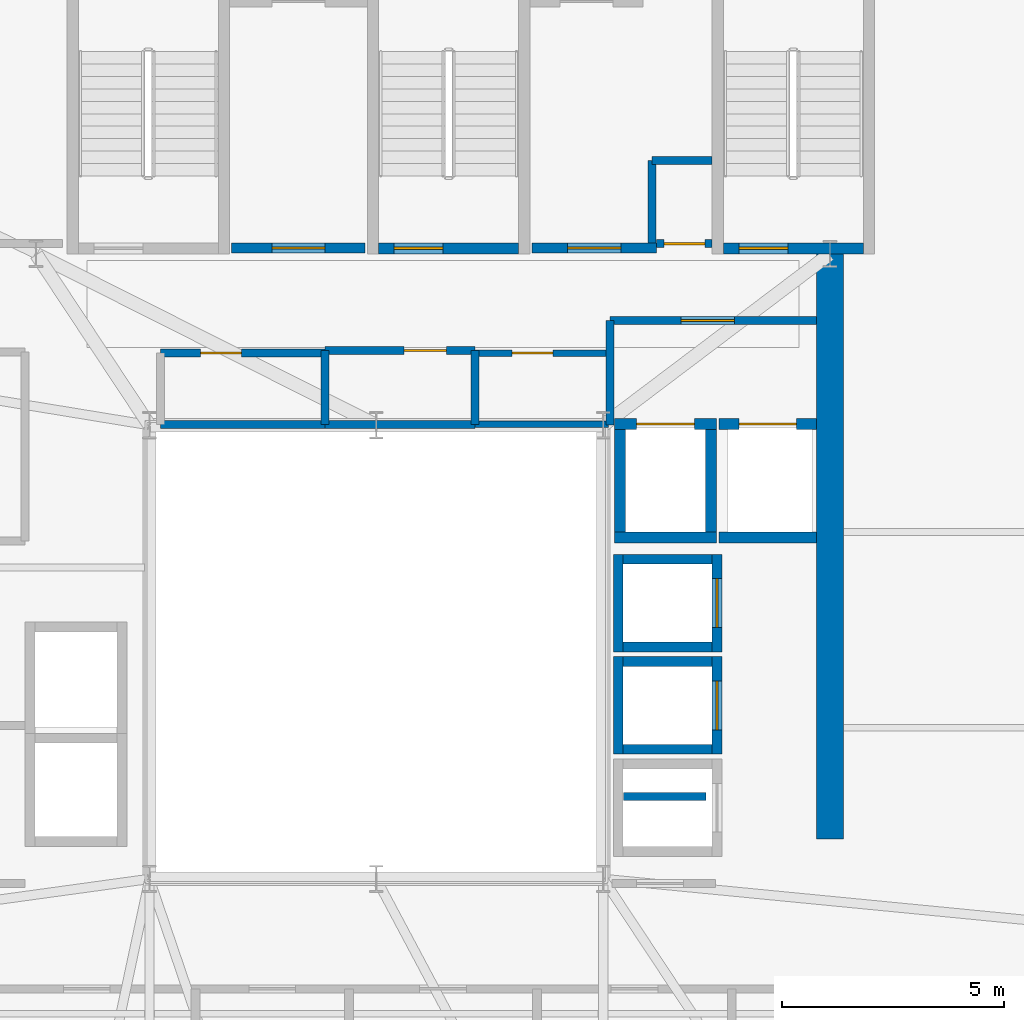
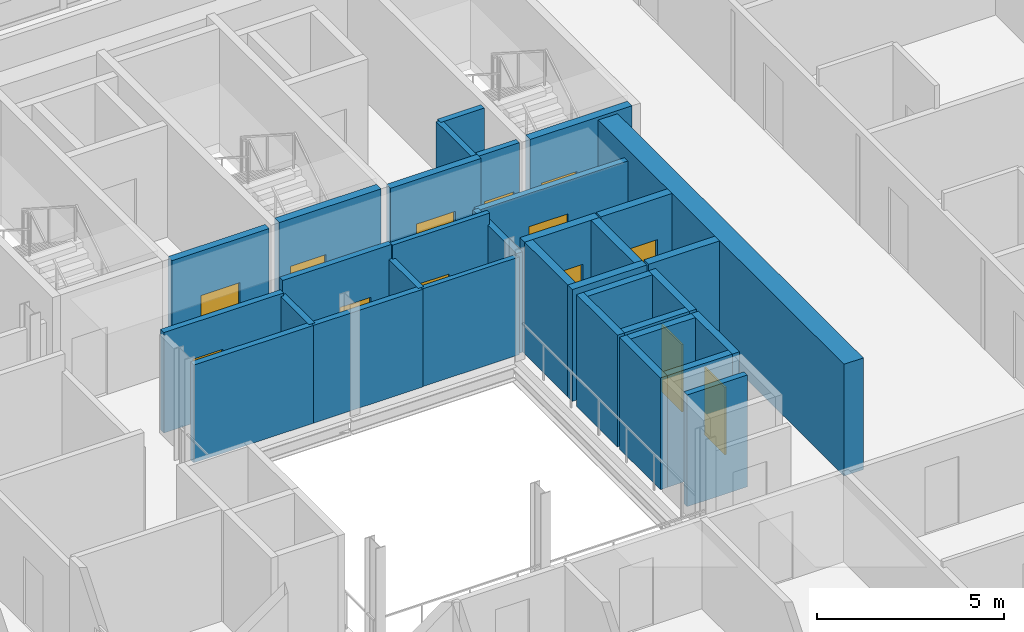
# One storey, part 8 of 14: 33 walls, 13 doors, 13 openings.
"""IFC4 building model written with IfcOpenShell, lengths in metres."""

from ifc_helpers import new_model, si_unit, direction, frame, frame_2d, origin, place, context, subcontext, project, spatial, rectangle, extrude, source, transform, mapped, material, layer, layer_set, type_object, element, fill, save


model = new_model("IFC4")

# Units and contexts
model_context = context("Model", 3, precision=1e-05, world=origin(), true_north=direction((0.0, 1.0)))
body_context = subcontext(model_context, "Body", "Model", "MODEL_VIEW")
ifc_project = project(units=[si_unit("LENGTHUNIT", "METRE"), si_unit("AREAUNIT", "SQUARE_METRE"), si_unit("VOLUMEUNIT", "CUBIC_METRE"), si_unit("PLANEANGLEUNIT", "RADIAN"), si_unit("MASSUNIT", "GRAM", prefix="KILO")], contexts=[model_context])

# Site, building, storey
site_placement = place(None, origin())
site = spatial("IfcSite", under=ifc_project, at=site_placement, CompositionType="ELEMENT")
building_placement = place(site_placement, origin())
building = spatial("IfcBuilding", under=site, at=building_placement, Name="Vardaveli Station Tower", CompositionType="ELEMENT")
storey_placement = place(building_placement, frame((0.0, 0.0, 266.39990234375)))
storey = spatial("IfcBuildingStorey", under=building, at=storey_placement, Name="L68", CompositionType="ELEMENT", Elevation=266.39990234375)

# Wall
ifc_material_1 = material(Name="Concrete C50/60", Category="concrete")
ifc_layer_1 = layer(ifc_material_1, 0.60009765625, Name="Concrete C50/60")
ifc_layer_set_1 = layer_set([ifc_layer_1], Name="Concrete C50/60")
wall_type_1 = type_object("IfcWallType", Name="WAL-CORE-600", PredefinedType="SHEAR", material=ifc_layer_set_1)
shared_shape_1 = source(origin(), body_context, "Body", "SweptSolid", [
    extrude(rectangle(XDim=13.14990234375, YDim=0.60009765625, at=frame_2d((6.574951171875, 0.0))), origin(), (0.0, 0.0, 1.0), 3.650146484375),
])
wall_1_placement = place(storey_placement, frame((46.5, 17.5, 0.0), z_axis=(0.0, 0.0, 1.0), x_axis=(0.0, 1.0, 0.0)))
element("IfcWall", 1, at=wall_1_placement, inside=storey, type_object=wall_type_1, Name="SW-L68-EAST2", PredefinedType="SHEAR", context=body_context, shape_type="MappedRepresentation", body=[
    mapped(shared_shape_1, transform((0.0, 0.0, 0.0), scale=1.0)),
])

# Wall, opening, door
ifc_material_2 = material(Name="Concrete C40/50", Category="concrete")
ifc_layer_2 = layer(ifc_material_2, 0.25, Name="Concrete C40/50")
ifc_layer_set_2 = layer_set([ifc_layer_2], Name="Concrete C40/50")
wall_type_2 = type_object("IfcWallType", Name="WAL-SHAFT-250", PredefinedType="SOLIDWALL", material=ifc_layer_set_2)
shared_shape_2 = source(origin(), body_context, "Body", "SweptSolid", [
    extrude(rectangle(XDim=3.14990234375, YDim=0.25, at=frame_2d((1.574951171875, 0.0))), origin(), (0.0, 0.0, 1.0), 3.75),
])
wall_2_placement = place(storey_placement, frame((36.35009765625, 30.77490234375, 0.0), z_axis=(0.0, 0.0, 1.0), x_axis=(1.0, 0.0, 0.0)))
wall_2 = element("IfcWall", 2, at=wall_2_placement, inside=storey, type_object=wall_type_2, Name="W-L68-ST-2S", PredefinedType="SOLIDWALL", context=body_context, shape_type="MappedRepresentation", body=[
    mapped(shared_shape_2, transform((0.0, 0.0, 0.0), scale=1.0)),
])
shared_shape_3 = source(origin(), body_context, "Body", "SweptSolid", [
    extrude(rectangle(XDim=1.10009765625, YDim=2.199951171875, at=frame_2d((0.550048828125, 1.10009765625))), frame((0.0, 0.135009765625, 0.0), z_axis=(0.0, -1.0, 0.0), x_axis=(1.0, 0.0, 0.0)), (0.0, 0.0, 1.0), 0.27001953125),
])
opening_1_placement = place(wall_2_placement, frame((0.35009765625, 0.0, 0.0)))
opening_1 = element("IfcOpeningElement", 3, at=opening_1_placement, cuts=wall_2, Name="Opening D-04", PredefinedType="OPENING", context=body_context, shape_type="MappedRepresentation", body=[
    mapped(shared_shape_3, transform((0.0, 0.0, 0.0), scale=1.0)),
])
ifc_material_3 = material(Name="Steel smokeproof fire doorset", Category="steel")
door_type_1 = type_object("IfcDoorType", Name="DR-ST-1100x2200", OperationType="NOTDEFINED", PredefinedType="DOOR", material=ifc_material_3)
shared_shape_4 = source(origin(), body_context, "Body", "SweptSolid", [
    extrude(rectangle(XDim=1.10009765625, YDim=2.199951171875, at=frame_2d((0.550048828125, 1.10009765625))), frame((0.0, 0.02490234375, 0.0), z_axis=(0.0, -1.0, 0.0), x_axis=(1.0, 0.0, 0.0)), (0.0, 0.0, 1.0), 0.050048828125),
])
door_1_placement = place(opening_1_placement, origin())
door_1 = element("IfcDoor", 4, at=door_1_placement, inside=storey, type_object=door_type_1, Name="DST-2-L68", OperationType="SINGLE_SWING_LEFT", OverallHeight=2.199951171875, OverallWidth=1.10009765625, PredefinedType="DOOR", context=body_context, shape_type="MappedRepresentation", body=[
    mapped(shared_shape_4, transform((0.0, 0.0, 0.0), scale=1.0)),
])
fill(opening_1, door_1)

wall_3_placement = place(storey_placement, frame((44.10009765625, 30.77490234375, 0.0), z_axis=(0.0, 0.0, 1.0), x_axis=(1.0, 0.0, 0.0)))
wall_3 = element("IfcWall", 5, at=wall_3_placement, inside=storey, type_object=wall_type_2, Name="W-L68-ST-3S", PredefinedType="SOLIDWALL", context=body_context, shape_type="MappedRepresentation", body=[
    mapped(shared_shape_2, transform((0.0, 0.0, 0.0), scale=1.0)),
])
opening_2_placement = place(wall_3_placement, frame((0.35009765625, 0.0, 0.0)))
opening_2 = element("IfcOpeningElement", 6, at=opening_2_placement, cuts=wall_3, Name="Opening D-04", PredefinedType="OPENING", context=body_context, shape_type="MappedRepresentation", body=[
    mapped(shared_shape_3, transform((0.0, 0.0, 0.0), scale=1.0)),
])
door_2_placement = place(opening_2_placement, origin())
door_2 = element("IfcDoor", 7, at=door_2_placement, inside=storey, type_object=door_type_1, Name="DST-3-L68", OperationType="SINGLE_SWING_LEFT", OverallHeight=2.199951171875, OverallWidth=1.10009765625, PredefinedType="DOOR", context=body_context, shape_type="MappedRepresentation", body=[
    mapped(shared_shape_4, transform((0.0, 0.0, 0.0), scale=1.0)),
])
fill(opening_2, door_2)

ifc_layer_3 = layer(ifc_material_2, 0.219970703125, Name="Concrete C40/50")
ifc_layer_set_3 = layer_set([ifc_layer_3], Name="Concrete C40/50")
wall_type_3 = type_object("IfcWallType", Name="WAL-FFLOBBY-220", PredefinedType="SOLIDWALL", material=ifc_layer_set_3)
shared_shape_5 = source(origin(), body_context, "Body", "SweptSolid", [
    extrude(rectangle(XDim=3.0, YDim=0.219970703125, at=frame_2d((1.5, 0.0))), origin(), (0.0, 0.0, 1.0), 3.650146484375),
])
wall_4_placement = place(storey_placement, frame((33.050048828125, 30.780029296875, 0.0), z_axis=(0.0, 0.0, 1.0), x_axis=(1.0, 0.0, 0.0)))
wall_4 = element("IfcWall", 8, at=wall_4_placement, inside=storey, type_object=wall_type_3, Name="W-L68-FFL1S", PredefinedType="SOLIDWALL", context=body_context, shape_type="MappedRepresentation", body=[
    mapped(shared_shape_5, transform((0.0, 0.0, 0.0), scale=1.0)),
])
shared_shape_6 = source(origin(), body_context, "Body", "SweptSolid", [
    extrude(rectangle(XDim=1.199951171875, YDim=2.199951171875, at=frame_2d((0.60009765625, 1.10009765625))), frame((0.0, 0.1201171875, 0.0), z_axis=(0.0, -1.0, 0.0), x_axis=(1.0, 0.0, 0.0)), (0.0, 0.0, 1.0), 0.239990234375),
])
opening_3_placement = place(wall_4_placement, frame((0.89990234375, 0.0, 0.0)))
opening_3 = element("IfcOpeningElement", 9, at=opening_3_placement, cuts=wall_4, Name="Opening D-03", PredefinedType="OPENING", context=body_context, shape_type="MappedRepresentation", body=[
    mapped(shared_shape_6, transform((0.0, 0.0, 0.0), scale=1.0)),
])
door_type_2 = type_object("IfcDoorType", Name="DR-FFL-1200x2200", OperationType="NOTDEFINED", PredefinedType="DOOR", material=ifc_material_3)
shared_shape_7 = source(origin(), body_context, "Body", "SweptSolid", [
    extrude(rectangle(XDim=1.199951171875, YDim=2.199951171875, at=frame_2d((0.60009765625, 1.10009765625))), frame((0.0, 0.02490234375, 0.0), z_axis=(0.0, -1.0, 0.0), x_axis=(1.0, 0.0, 0.0)), (0.0, 0.0, 1.0), 0.050048828125),
])
door_3_placement = place(opening_3_placement, origin())
door_3 = element("IfcDoor", 10, at=door_3_placement, inside=storey, type_object=door_type_2, Name="DFFL1-L68", OperationType="SINGLE_SWING_LEFT", OverallHeight=2.199951171875, OverallWidth=1.199951171875, PredefinedType="DOOR", context=body_context, shape_type="MappedRepresentation", body=[
    mapped(shared_shape_7, transform((0.0, 0.0, 0.0), scale=1.0)),
])
fill(opening_3, door_3)

shared_shape_8 = source(origin(), body_context, "Body", "SweptSolid", [
    extrude(rectangle(XDim=2.800048828125, YDim=0.219970703125, at=frame_2d((1.39990234375, 0.0))), origin(), (0.0, 0.0, 1.0), 3.650146484375),
])
wall_5_placement = place(storey_placement, frame((39.800048828125, 30.780029296875, 0.0), z_axis=(0.0, 0.0, 1.0), x_axis=(1.0, 0.0, 0.0)))
wall_5 = element("IfcWall", 11, at=wall_5_placement, inside=storey, type_object=wall_type_3, Name="W-L68-FFL2S", PredefinedType="SOLIDWALL", context=body_context, shape_type="MappedRepresentation", body=[
    mapped(shared_shape_8, transform((0.0, 0.0, 0.0), scale=1.0)),
])
opening_4_placement = place(wall_5_placement, frame((0.800048828125, 0.0, 0.0)))
opening_4 = element("IfcOpeningElement", 12, at=opening_4_placement, cuts=wall_5, Name="Opening D-03", PredefinedType="OPENING", context=body_context, shape_type="MappedRepresentation", body=[
    mapped(shared_shape_6, transform((0.0, 0.0, 0.0), scale=1.0)),
])
door_4_placement = place(opening_4_placement, origin())
door_4 = element("IfcDoor", 13, at=door_4_placement, inside=storey, type_object=door_type_2, Name="DFFL2-L68", OperationType="SINGLE_SWING_RIGHT", OverallHeight=2.199951171875, OverallWidth=1.199951171875, PredefinedType="DOOR", context=body_context, shape_type="MappedRepresentation", body=[
    mapped(shared_shape_7, transform((0.0, 0.0, 0.0), scale=1.0)),
])
fill(opening_4, door_4)

# Walls
shared_shape_9 = source(origin(), body_context, "Body", "SweptSolid", [
    extrude(rectangle(XDim=2.0, YDim=0.219970703125, at=frame_2d((1.0, 0.0))), origin(), (0.0, 0.0, 1.0), 3.650146484375),
])
for number, where, z_axis, x_axis, name in (
    (14, (41.85009765625, 21.81494140625, 0.0), (0.0, 0.0, 1.0), (1.0, 0.0, 0.0), "SHW-HL3-01-L68-S"),
    (15, (41.85009765625, 23.784912109375, 0.0), (0.0, 0.0, 1.0), (1.0, 0.0, 0.0), "SHW-HL3-01-L68-N"),
    (16, (41.85009765625, 19.514892578125, 0.0), (0.0, 0.0, 1.0), (1.0, 0.0, 0.0), "SHW-HL3-02-L68-S"),
    (17, (41.85009765625, 21.485107421875, 0.0), (0.0, 0.0, 1.0), (1.0, 0.0, 0.0), "SHW-HL3-02-L68-N"),
):
    element("IfcWall", number, at=place(storey_placement, frame(where, z_axis=z_axis, x_axis=x_axis)), inside=storey, type_object=wall_type_3, Name=name, PredefinedType="SOLIDWALL", context=body_context, shape_type="MappedRepresentation", body=[
        mapped(shared_shape_9, transform((0.0, 0.0, 0.0), scale=1.0)),
    ])
shared_shape_10 = source(origin(), body_context, "Body", "SweptSolid", [
    extrude(rectangle(XDim=2.18994140625, YDim=0.219970703125, at=frame_2d((1.094970703125, 0.0))), origin(), (0.0, 0.0, 1.0), 3.650146484375),
])
wall_6_placement = place(storey_placement, frame((41.739990234375, 21.705078125, 0.0), z_axis=(0.0, 0.0, 1.0), x_axis=(0.0, 1.0, 0.0)))
element("IfcWall", 18, at=wall_6_placement, inside=storey, type_object=wall_type_3, Name="SHW-HL3-01-L68-W", PredefinedType="SOLIDWALL", context=body_context, shape_type="MappedRepresentation", body=[
    mapped(shared_shape_10, transform((0.0, 0.0, 0.0), scale=1.0)),
])

# Wall, opening, door
wall_7_placement = place(storey_placement, frame((43.9599609375, 21.705078125, 0.0), z_axis=(0.0, 0.0, 1.0), x_axis=(0.0, 1.0, 0.0)))
wall_7 = element("IfcWall", 19, at=wall_7_placement, inside=storey, type_object=wall_type_3, Name="SHW-HL3-01-L68-E", PredefinedType="SOLIDWALL", context=body_context, shape_type="MappedRepresentation", body=[
    mapped(shared_shape_10, transform((0.0, 0.0, 0.0), scale=1.0)),
])
shared_shape_11 = source(origin(), body_context, "Body", "SweptSolid", [
    extrude(rectangle(XDim=1.10009765625, YDim=2.199951171875, at=frame_2d((0.550048828125, 1.10009765625))), frame((0.0, 0.1201171875, 0.0), z_axis=(0.0, -1.0, 0.0), x_axis=(1.0, 0.0, 0.0)), (0.0, 0.0, 1.0), 0.239990234375),
])
opening_5_placement = place(wall_7_placement, frame((0.544921875, 0.0, 0.0)))
opening_5 = element("IfcOpeningElement", 20, at=opening_5_placement, cuts=wall_7, Name="Opening LD-01", PredefinedType="OPENING", context=body_context, shape_type="MappedRepresentation", body=[
    mapped(shared_shape_11, transform((0.0, 0.0, 0.0), scale=1.0)),
])
ifc_material_4 = material(Name="Brushed stainless steel", Category="steel")
door_type_3 = type_object("IfcDoorType", Name="DR-LD-1100x2200", OperationType="DOUBLE_DOOR_SLIDING", PredefinedType="DOOR", material=ifc_material_4)
door_5_placement = place(opening_5_placement, origin())
door_5 = element("IfcDoor", 21, at=door_5_placement, inside=storey, type_object=door_type_3, Name="LD-HL3-01-L68", OperationType="DOUBLE_DOOR_SLIDING", OverallHeight=2.199951171875, OverallWidth=1.10009765625, PredefinedType="DOOR", context=body_context, shape_type="MappedRepresentation", body=[
    mapped(shared_shape_4, transform((0.0, 0.0, 0.0), scale=1.0)),
])
fill(opening_5, door_5)

# Wall
wall_8_placement = place(storey_placement, frame((41.739990234375, 19.405029296875, 0.0), z_axis=(0.0, 0.0, 1.0), x_axis=(0.0, 1.0, 0.0)))
element("IfcWall", 22, at=wall_8_placement, inside=storey, type_object=wall_type_3, Name="SHW-HL3-02-L68-W", PredefinedType="SOLIDWALL", context=body_context, shape_type="MappedRepresentation", body=[
    mapped(shared_shape_10, transform((0.0, 0.0, 0.0), scale=1.0)),
])

# Wall, opening, door
wall_9_placement = place(storey_placement, frame((43.9599609375, 19.405029296875, 0.0), z_axis=(0.0, 0.0, 1.0), x_axis=(0.0, 1.0, 0.0)))
wall_9 = element("IfcWall", 23, at=wall_9_placement, inside=storey, type_object=wall_type_3, Name="SHW-HL3-02-L68-E", PredefinedType="SOLIDWALL", context=body_context, shape_type="MappedRepresentation", body=[
    mapped(shared_shape_10, transform((0.0, 0.0, 0.0), scale=1.0)),
])
opening_6_placement = place(wall_9_placement, frame((0.544921875, 0.0, 0.0)))
opening_6 = element("IfcOpeningElement", 24, at=opening_6_placement, cuts=wall_9, Name="Opening LD-01", PredefinedType="OPENING", context=body_context, shape_type="MappedRepresentation", body=[
    mapped(shared_shape_11, transform((0.0, 0.0, 0.0), scale=1.0)),
])
door_6_placement = place(opening_6_placement, origin())
door_6 = element("IfcDoor", 25, at=door_6_placement, inside=storey, type_object=door_type_3, Name="LD-HL3-02-L68", OperationType="DOUBLE_DOOR_SLIDING", OverallHeight=2.199951171875, OverallWidth=1.10009765625, PredefinedType="DOOR", context=body_context, shape_type="MappedRepresentation", body=[
    mapped(shared_shape_4, transform((0.0, 0.0, 0.0), scale=1.0)),
])
fill(opening_6, door_6)

# Wall
shared_shape_12 = source(origin(), body_context, "Body", "SweptSolid", [
    extrude(rectangle(XDim=2.300048828125, YDim=0.25, at=frame_2d((1.14990234375, 0.0))), origin(), (0.0, 0.0, 1.0), 3.650146484375),
])
wall_10_placement = place(storey_placement, frame((41.64990234375, 24.27490234375, 0.0), z_axis=(0.0, 0.0, 1.0), x_axis=(1.0, 0.0, 0.0)))
element("IfcWall", 26, at=wall_10_placement, inside=storey, type_object=wall_type_2, Name="SHW-SRV-01-L68-S", PredefinedType="SOLIDWALL", context=body_context, shape_type="MappedRepresentation", body=[
    mapped(shared_shape_12, transform((0.0, 0.0, 0.0), scale=1.0)),
])

# Wall, opening, door
wall_11_placement = place(storey_placement, frame((41.64990234375, 26.824951171875, 0.0), z_axis=(0.0, 0.0, 1.0), x_axis=(1.0, 0.0, 0.0)))
wall_11 = element("IfcWall", 27, at=wall_11_placement, inside=storey, type_object=wall_type_2, Name="SHW-SRV-01-L68-N", PredefinedType="SOLIDWALL", context=body_context, shape_type="MappedRepresentation", body=[
    mapped(shared_shape_12, transform((0.0, 0.0, 0.0), scale=1.0)),
])
shared_shape_13 = source(origin(), body_context, "Body", "SweptSolid", [
    extrude(rectangle(XDim=1.300048828125, YDim=2.300048828125, at=frame_2d((0.64990234375, 1.14990234375))), frame((0.0, 0.135009765625, 0.0), z_axis=(0.0, -1.0, 0.0), x_axis=(1.0, 0.0, 0.0)), (0.0, 0.0, 1.0), 0.27001953125),
])
opening_7_placement = place(wall_11_placement, frame((0.5, 0.0, 0.0)))
opening_7 = element("IfcOpeningElement", 28, at=opening_7_placement, cuts=wall_11, Name="Opening LD-03", PredefinedType="OPENING", context=body_context, shape_type="MappedRepresentation", body=[
    mapped(shared_shape_13, transform((0.0, 0.0, 0.0), scale=1.0)),
])
door_type_4 = type_object("IfcDoorType", Name="DR-LD-1300x2300", OperationType="DOUBLE_DOOR_SLIDING", PredefinedType="DOOR", material=ifc_material_4)
shared_shape_14 = source(origin(), body_context, "Body", "SweptSolid", [
    extrude(rectangle(XDim=1.300048828125, YDim=2.300048828125, at=frame_2d((0.64990234375, 1.14990234375))), frame((0.0, 0.02490234375, 0.0), z_axis=(0.0, -1.0, 0.0), x_axis=(1.0, 0.0, 0.0)), (0.0, 0.0, 1.0), 0.050048828125),
])
door_7_placement = place(opening_7_placement, origin())
door_7 = element("IfcDoor", 29, at=door_7_placement, inside=storey, type_object=door_type_4, Name="LD-SRV-01-L68", OperationType="DOUBLE_DOOR_SLIDING", OverallHeight=2.300048828125, OverallWidth=1.300048828125, PredefinedType="DOOR", context=body_context, shape_type="MappedRepresentation", body=[
    mapped(shared_shape_14, transform((0.0, 0.0, 0.0), scale=1.0)),
])
fill(opening_7, door_7)

# Walls
for number, where, z_axis, x_axis, name in (
    (30, (41.77490234375, 24.39990234375, 0.0), (0.0, 0.0, 1.0), (0.0, 1.0, 0.0), "SHW-SRV-01-L68-W"),
    (31, (43.824951171875, 24.39990234375, 0.0), (0.0, 0.0, 1.0), (0.0, 1.0, 0.0), "SHW-SRV-01-L68-E"),
):
    element("IfcWall", number, at=place(storey_placement, frame(where, z_axis=z_axis, x_axis=x_axis)), inside=storey, type_object=wall_type_2, Name=name, PredefinedType="SOLIDWALL", context=body_context, shape_type="MappedRepresentation", body=[
        mapped(shared_shape_12, transform((0.0, 0.0, 0.0), scale=1.0)),
    ])
shared_shape_15 = source(origin(), body_context, "Body", "SweptSolid", [
    extrude(rectangle(XDim=2.199951171875, YDim=0.25, at=frame_2d((1.10009765625, 0.0))), origin(), (0.0, 0.0, 1.0), 3.650146484375),
])
wall_12_placement = place(storey_placement, frame((44.0, 24.27490234375, 0.0), z_axis=(0.0, 0.0, 1.0), x_axis=(1.0, 0.0, 0.0)))
element("IfcWall", 32, at=wall_12_placement, inside=storey, type_object=wall_type_2, Name="SHW-SRV-02-L68-S", PredefinedType="SOLIDWALL", context=body_context, shape_type="MappedRepresentation", body=[
    mapped(shared_shape_15, transform((0.0, 0.0, 0.0), scale=1.0)),
])

# Wall, opening, door
wall_13_placement = place(storey_placement, frame((44.0, 26.824951171875, 0.0), z_axis=(0.0, 0.0, 1.0), x_axis=(1.0, 0.0, 0.0)))
wall_13 = element("IfcWall", 33, at=wall_13_placement, inside=storey, type_object=wall_type_2, Name="SHW-SRV-02-L68-N", PredefinedType="SOLIDWALL", context=body_context, shape_type="MappedRepresentation", body=[
    mapped(shared_shape_15, transform((0.0, 0.0, 0.0), scale=1.0)),
])
opening_8_placement = place(wall_13_placement, frame((0.449951171875, 0.0, 0.0)))
opening_8 = element("IfcOpeningElement", 34, at=opening_8_placement, cuts=wall_13, Name="Opening LD-03", PredefinedType="OPENING", context=body_context, shape_type="MappedRepresentation", body=[
    mapped(shared_shape_13, transform((0.0, 0.0, 0.0), scale=1.0)),
])
door_8_placement = place(opening_8_placement, origin())
door_8 = element("IfcDoor", 35, at=door_8_placement, inside=storey, type_object=door_type_4, Name="LD-SRV-02-L68", OperationType="DOUBLE_DOOR_SLIDING", OverallHeight=2.300048828125, OverallWidth=1.300048828125, PredefinedType="DOOR", context=body_context, shape_type="MappedRepresentation", body=[
    mapped(shared_shape_14, transform((0.0, 0.0, 0.0), scale=1.0)),
])
fill(opening_8, door_8)

# Wall
ifc_material_5 = material(Name="Fire-rated gypsum stud partition")
ifc_layer_4 = layer(ifc_material_5, 0.179931640625, Name="Fire-rated gypsum stud partition")
ifc_layer_set_4 = layer_set([ifc_layer_4], Name="Fire-rated gypsum stud partition")
wall_type_4 = type_object("IfcWallType", Name="WAL-CORR-180", PredefinedType="PARTITIONING", material=ifc_layer_set_4)
shared_shape_16 = source(origin(), body_context, "Body", "SweptSolid", [
    extrude(rectangle(XDim=3.699951171875, YDim=0.179931640625, at=frame_2d((1.85009765625, 0.0))), origin(), (0.0, 0.0, 1.0), 3.192138671875),
])
wall_14_placement = place(storey_placement, frame((31.449951171875, 26.820068359375, 0.0), z_axis=(0.0, 0.0, 1.0), x_axis=(1.0, 0.0, 0.0)))
element("IfcWall", 36, at=wall_14_placement, inside=storey, type_object=wall_type_4, Name="W-L68-CS2A-S", PredefinedType="PARTITIONING", context=body_context, shape_type="MappedRepresentation", body=[
    mapped(shared_shape_16, transform((0.0, 0.0, 0.0), scale=1.0)),
])

# Wall, opening, door
shared_shape_17 = source(origin(), body_context, "Body", "SweptSolid", [
    extrude(rectangle(XDim=4.64794921875, YDim=0.179931640625, at=frame_2d((2.323974609375, 0.0))), origin(), (0.0, 0.0, 1.0), 3.281982421875),
])
wall_15_placement = place(storey_placement, frame((41.550048828125, 29.14990234375, 0.0), z_axis=(0.0, 0.0, 1.0), x_axis=(1.0, 0.0, 0.0)))
wall_15 = element("IfcWall", 37, at=wall_15_placement, inside=storey, type_object=wall_type_4, Name="W-L68-SVFN", PredefinedType="PARTITIONING", context=body_context, shape_type="MappedRepresentation", body=[
    mapped(shared_shape_17, transform((0.0, 0.0, 0.0), scale=1.0)),
])
shared_shape_18 = source(origin(), body_context, "Body", "SweptSolid", [
    extrude(rectangle(XDim=1.199951171875, YDim=2.199951171875, at=frame_2d((0.60009765625, 1.10009765625))), frame((0.0, 0.10009765625, 0.0), z_axis=(0.0, -1.0, 0.0), x_axis=(1.0, 0.0, 0.0)), (0.0, 0.0, 1.0), 0.199951171875),
])
opening_9_placement = place(wall_15_placement, frame((1.60009765625, 0.0, 0.0)))
opening_9 = element("IfcOpeningElement", 38, at=opening_9_placement, cuts=wall_15, Name="Opening D-03", PredefinedType="OPENING", context=body_context, shape_type="MappedRepresentation", body=[
    mapped(shared_shape_18, transform((0.0, 0.0, 0.0), scale=1.0)),
])
door_9_placement = place(opening_9_placement, origin())
door_9 = element("IfcDoor", 39, at=door_9_placement, inside=storey, type_object=door_type_2, Name="D-L68-SVF", OperationType="SINGLE_SWING_LEFT", OverallHeight=2.199951171875, OverallWidth=1.199951171875, PredefinedType="DOOR", context=body_context, shape_type="MappedRepresentation", body=[
    mapped(shared_shape_7, transform((0.0, 0.0, 0.0), scale=1.0)),
])
fill(opening_9, door_9)

# Wall
shared_shape_19 = source(origin(), body_context, "Body", "SweptSolid", [
    extrude(rectangle(XDim=2.349853515625, YDim=0.179931640625, at=frame_2d((1.1748046875, 0.0))), origin(), (0.0, 0.0, 1.0), 3.281982421875),
])
wall_16_placement = place(storey_placement, frame((41.550048828125, 26.800048828125, 0.0), z_axis=(0.0, 0.0, 1.0), x_axis=(0.0, 1.0, 0.0)))
element("IfcWall", 40, at=wall_16_placement, inside=storey, type_object=wall_type_4, Name="W-L68-SVFW", PredefinedType="PARTITIONING", context=body_context, shape_type="MappedRepresentation", body=[
    mapped(shared_shape_19, transform((0.0, 0.0, 0.0), scale=1.0)),
])

# Wall, opening, door
shared_shape_20 = source(origin(), body_context, "Body", "SweptSolid", [
    extrude(rectangle(XDim=3.699951171875, YDim=0.179931640625, at=frame_2d((1.85009765625, 0.0))), origin(), (0.0, 0.0, 1.0), 3.281982421875),
])
wall_17_placement = place(storey_placement, frame((31.449951171875, 28.419921875, 0.0), z_axis=(0.0, 0.0, 1.0), x_axis=(1.0, 0.0, 0.0)))
wall_17 = element("IfcWall", 41, at=wall_17_placement, inside=storey, type_object=wall_type_4, Name="W-L68-CS2A-N", PredefinedType="PARTITIONING", context=body_context, shape_type="MappedRepresentation", body=[
    mapped(shared_shape_20, transform((0.0, 0.0, 0.0), scale=1.0)),
])
shared_shape_21 = source(origin(), body_context, "Body", "SweptSolid", [
    extrude(rectangle(XDim=0.919921875, YDim=2.10009765625, at=frame_2d((0.4599609375, 1.050048828125))), frame((0.0, 0.10009765625, 0.0), z_axis=(0.0, -1.0, 0.0), x_axis=(1.0, 0.0, 0.0)), (0.0, 0.0, 1.0), 0.199951171875),
])
opening_10_placement = place(wall_17_placement, frame((0.89990234375, 0.0, 0.0)))
opening_10 = element("IfcOpeningElement", 42, at=opening_10_placement, cuts=wall_17, Name="Opening D-07", PredefinedType="OPENING", context=body_context, shape_type="MappedRepresentation", body=[
    mapped(shared_shape_21, transform((0.0, 0.0, 0.0), scale=1.0)),
])
ifc_material_6 = material(Name="Moisture-resistant hardwood door", Category="wood")
door_type_5 = type_object("IfcDoorType", Name="DR-WC-920x2100", OperationType="NOTDEFINED", PredefinedType="DOOR", material=ifc_material_6)
shared_shape_22 = source(origin(), body_context, "Body", "SweptSolid", [
    extrude(rectangle(XDim=0.919921875, YDim=2.10009765625, at=frame_2d((0.4599609375, 1.050048828125))), frame((0.0, 0.02490234375, 0.0), z_axis=(0.0, -1.0, 0.0), x_axis=(1.0, 0.0, 0.0)), (0.0, 0.0, 1.0), 0.050048828125),
])
door_10_placement = place(opening_10_placement, origin())
door_10 = element("IfcDoor", 43, at=door_10_placement, inside=storey, type_object=door_type_5, Name="D-L68-CS2A", OperationType="SINGLE_SWING_RIGHT", OverallHeight=2.10009765625, OverallWidth=0.919921875, PredefinedType="DOOR", context=body_context, shape_type="MappedRepresentation", body=[
    mapped(shared_shape_22, transform((0.0, 0.0, 0.0), scale=1.0)),
])
fill(opening_10, door_10)

# Walls
shared_shape_23 = source(origin(), body_context, "Body", "SweptSolid", [
    extrude(rectangle(XDim=1.85791015625, YDim=0.179931640625, at=frame_2d((0.928955078125, 0.0))), origin(), (0.0, 0.0, 1.0), 3.650146484375),
])
for number, where, z_axis, x_axis, name in (
    (44, (41.85205078125, 18.449951171875, 0.0), (0.0, 0.0, 1.0), (1.0, 0.0, 0.0), "W-L68-ATE-N"),
    (45, (42.5, 30.89208984375, 0.0), (0.0, 0.0, 1.0), (0.0, 1.0, 0.0), "W-L68-CBS2A-W"),
):
    element("IfcWall", number, at=place(storey_placement, frame(where, z_axis=z_axis, x_axis=x_axis)), inside=storey, type_object=wall_type_4, Name=name, PredefinedType="PARTITIONING", context=body_context, shape_type="MappedRepresentation", body=[
        mapped(shared_shape_23, transform((0.0, 0.0, 0.0), scale=1.0)),
    ])

# Wall, opening, door
shared_shape_24 = source(origin(), body_context, "Body", "SweptSolid", [
    extrude(rectangle(XDim=3.3701171875, YDim=0.179931640625, at=frame_2d((1.68505859375, 0.0))), origin(), (0.0, 0.0, 1.0), 3.650146484375),
])
wall_18_placement = place(storey_placement, frame((35.14990234375, 28.47998046875, 0.0), z_axis=(0.0, 0.0, 1.0), x_axis=(1.0, 0.0, 0.0)))
wall_18 = element("IfcWall", 46, at=wall_18_placement, inside=storey, type_object=wall_type_4, Name="W-L68-HKP2-N", PredefinedType="PARTITIONING", context=body_context, shape_type="MappedRepresentation", body=[
    mapped(shared_shape_24, transform((0.0, 0.0, 0.0), scale=1.0)),
])
shared_shape_25 = source(origin(), body_context, "Body", "SweptSolid", [
    extrude(rectangle(XDim=0.949951171875, YDim=2.14990234375, at=frame_2d((0.47509765625, 1.074951171875))), frame((0.0, 0.10009765625, 0.0), z_axis=(0.0, -1.0, 0.0), x_axis=(1.0, 0.0, 0.0)), (0.0, 0.0, 1.0), 0.199951171875),
])
opening_11_placement = place(wall_18_placement, frame((1.77490234375, 0.0, 0.0)))
opening_11 = element("IfcOpeningElement", 47, at=opening_11_placement, cuts=wall_18, Name="Opening D-06", PredefinedType="OPENING", context=body_context, shape_type="MappedRepresentation", body=[
    mapped(shared_shape_25, transform((0.0, 0.0, 0.0), scale=1.0)),
])
ifc_material_7 = material(Name="Oak veneer acoustic fire door")
door_type_6 = type_object("IfcDoorType", Name="DR-GUEST-950x2150", OperationType="NOTDEFINED", PredefinedType="DOOR", material=ifc_material_7)
shared_shape_26 = source(origin(), body_context, "Body", "SweptSolid", [
    extrude(rectangle(XDim=0.949951171875, YDim=2.14990234375, at=frame_2d((0.47509765625, 1.074951171875))), frame((0.0, 0.02490234375, 0.0), z_axis=(0.0, -1.0, 0.0), x_axis=(1.0, 0.0, 0.0)), (0.0, 0.0, 1.0), 0.050048828125),
])
door_11_placement = place(opening_11_placement, origin())
door_11 = element("IfcDoor", 48, at=door_11_placement, inside=storey, type_object=door_type_6, Name="D-L68-HKP", OperationType="SINGLE_SWING_LEFT", OverallHeight=2.14990234375, OverallWidth=0.949951171875, PredefinedType="DOOR", context=body_context, shape_type="MappedRepresentation", body=[
    mapped(shared_shape_26, transform((0.0, 0.0, 0.0), scale=1.0)),
])
fill(opening_11, door_11)

ifc_material_8 = material(Name="Moisture-resistant stud partition")
ifc_layer_5 = layer(ifc_material_8, 0.14990234375, Name="Moisture-resistant stud partition")
ifc_layer_set_5 = layer_set([ifc_layer_5], Name="Moisture-resistant stud partition")
wall_type_5 = type_object("IfcWallType", Name="WAL-WET-150", PredefinedType="PARTITIONING", material=ifc_layer_set_5)
shared_shape_27 = source(origin(), body_context, "Body", "SweptSolid", [
    extrude(rectangle(XDim=3.0, YDim=0.14990234375, at=frame_2d((1.5, 0.0))), origin(), (0.0, 0.0, 1.0), 3.650146484375),
])
wall_19_placement = place(storey_placement, frame((38.52001953125, 28.419921875, 0.0), z_axis=(0.0, 0.0, 1.0), x_axis=(1.0, 0.0, 0.0)))
wall_19 = element("IfcWall", 49, at=wall_19_placement, inside=storey, type_object=wall_type_5, Name="W-L68-WCA2-N", PredefinedType="PARTITIONING", context=body_context, shape_type="MappedRepresentation", body=[
    mapped(shared_shape_27, transform((0.0, 0.0, 0.0), scale=1.0)),
])
shared_shape_28 = source(origin(), body_context, "Body", "SweptSolid", [
    extrude(rectangle(XDim=0.919921875, YDim=2.10009765625, at=frame_2d((0.4599609375, 1.050048828125))), frame((0.0, 0.0849609375, 0.0), z_axis=(0.0, -1.0, 0.0), x_axis=(1.0, 0.0, 0.0)), (0.0, 0.0, 1.0), 0.169921875),
])
opening_12_placement = place(wall_19_placement, frame((0.830078125, 0.0, 0.0)))
opening_12 = element("IfcOpeningElement", 50, at=opening_12_placement, cuts=wall_19, Name="Opening D-07", PredefinedType="OPENING", context=body_context, shape_type="MappedRepresentation", body=[
    mapped(shared_shape_28, transform((0.0, 0.0, 0.0), scale=1.0)),
])
door_12_placement = place(opening_12_placement, origin())
door_12 = element("IfcDoor", 51, at=door_12_placement, inside=storey, type_object=door_type_5, Name="D-L68-WCA", OperationType="SINGLE_SWING_RIGHT", OverallHeight=2.10009765625, OverallWidth=0.919921875, PredefinedType="DOOR", context=body_context, shape_type="MappedRepresentation", body=[
    mapped(shared_shape_22, transform((0.0, 0.0, 0.0), scale=1.0)),
])
fill(opening_12, door_12)

shared_shape_29 = source(origin(), body_context, "Body", "SweptSolid", [
    extrude(rectangle(XDim=1.247802734375, YDim=0.179931640625, at=frame_2d((0.6240234375, 0.0))), origin(), (0.0, 0.0, 1.0), 3.650146484375),
])
wall_20_placement = place(storey_placement, frame((42.60009765625, 30.8798828125, 0.0), z_axis=(0.0, 0.0, 1.0), x_axis=(1.0, 0.0, 0.0)))
wall_20 = element("IfcWall", 52, at=wall_20_placement, inside=storey, type_object=wall_type_4, Name="W-L68-CBS2A-S", PredefinedType="PARTITIONING", context=body_context, shape_type="MappedRepresentation", body=[
    mapped(shared_shape_29, transform((0.0, 0.0, 0.0), scale=1.0)),
])
opening_13_placement = place(wall_20_placement, frame((0.1640625, 0.0, 0.0)))
opening_13 = element("IfcOpeningElement", 53, at=opening_13_placement, cuts=wall_20, Name="Opening D-07", PredefinedType="OPENING", context=body_context, shape_type="MappedRepresentation", body=[
    mapped(shared_shape_21, transform((0.0, 0.0, 0.0), scale=1.0)),
])
door_13_placement = place(opening_13_placement, origin())
door_13 = element("IfcDoor", 54, at=door_13_placement, inside=storey, type_object=door_type_5, Name="D-L68-CBS1", OperationType="SINGLE_SWING_LEFT", OverallHeight=2.10009765625, OverallWidth=0.919921875, PredefinedType="DOOR", context=body_context, shape_type="MappedRepresentation", body=[
    mapped(shared_shape_22, transform((0.0, 0.0, 0.0), scale=1.0)),
])
fill(opening_13, door_13)

# Walls
shared_shape_30 = source(origin(), body_context, "Body", "SweptSolid", [
    extrude(rectangle(XDim=3.3701171875, YDim=0.179931640625, at=frame_2d((1.68505859375, 0.0))), origin(), (0.0, 0.0, 1.0), 3.192138671875),
])
wall_21_placement = place(storey_placement, frame((35.14990234375, 26.820068359375, 0.0), z_axis=(0.0, 0.0, 1.0), x_axis=(1.0, 0.0, 0.0)))
element("IfcWall", 55, at=wall_21_placement, inside=storey, type_object=wall_type_4, Name="W-L68-HKP2-S", PredefinedType="PARTITIONING", context=body_context, shape_type="MappedRepresentation", body=[
    mapped(shared_shape_30, transform((0.0, 0.0, 0.0), scale=1.0)),
])
shared_shape_31 = source(origin(), body_context, "Body", "SweptSolid", [
    extrude(rectangle(XDim=3.0, YDim=0.14990234375, at=frame_2d((1.5, 0.0))), origin(), (0.0, 0.0, 1.0), 3.192138671875),
])
wall_22_placement = place(storey_placement, frame((38.52001953125, 26.820068359375, 0.0), z_axis=(0.0, 0.0, 1.0), x_axis=(1.0, 0.0, 0.0)))
element("IfcWall", 56, at=wall_22_placement, inside=storey, type_object=wall_type_5, Name="W-L68-WCA2-S", PredefinedType="PARTITIONING", context=body_context, shape_type="MappedRepresentation", body=[
    mapped(shared_shape_31, transform((0.0, 0.0, 0.0), scale=1.0)),
])
shared_shape_32 = source(origin(), body_context, "Body", "SweptSolid", [
    extrude(rectangle(XDim=1.659912109375, YDim=0.179931640625, at=frame_2d((0.830078125, 0.0))), origin(), (0.0, 0.0, 1.0), 3.192138671875),
])
for number, where, z_axis, x_axis, name in (
    (57, (35.14990234375, 26.820068359375, 0.0), (0.0, 0.0, 1.0), (0.0, 1.0, 0.0), "W-L68-HKP2-W"),
    (58, (38.52001953125, 26.820068359375, 0.0), (0.0, 0.0, 1.0), (0.0, 1.0, 0.0), "W-L68-HKP2-E"),
):
    element("IfcWall", number, at=place(storey_placement, frame(where, z_axis=z_axis, x_axis=x_axis)), inside=storey, type_object=wall_type_4, Name=name, PredefinedType="PARTITIONING", context=body_context, shape_type="MappedRepresentation", body=[
        mapped(shared_shape_32, transform((0.0, 0.0, 0.0), scale=1.0)),
    ])
shared_shape_33 = source(origin(), body_context, "Body", "SweptSolid", [
    extrude(rectangle(XDim=1.347900390625, YDim=0.179931640625, at=frame_2d((0.673828125, 0.0))), origin(), (0.0, 0.0, 1.0), 3.650146484375),
])
wall_23_placement = place(storey_placement, frame((42.5, 32.75, 0.0), z_axis=(0.0, 0.0, 1.0), x_axis=(1.0, 0.0, 0.0)))
element("IfcWall", 59, at=wall_23_placement, inside=storey, type_object=wall_type_4, Name="W-L68-CBS2A-N", PredefinedType="PARTITIONING", context=body_context, shape_type="MappedRepresentation", body=[
    mapped(shared_shape_33, transform((0.0, 0.0, 0.0), scale=1.0)),
])

save(model, "model.ifc")
